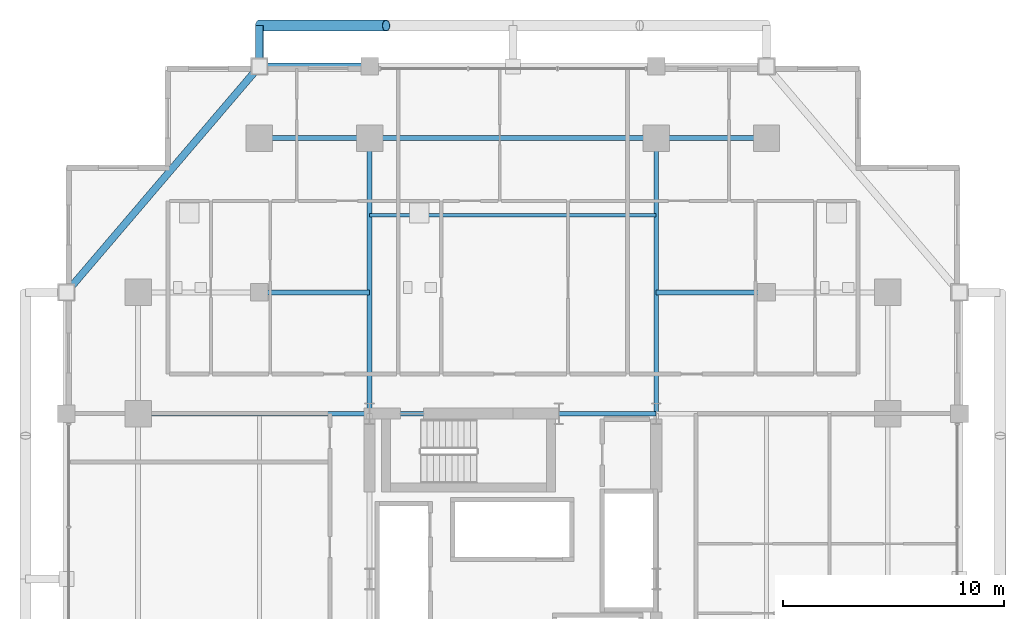
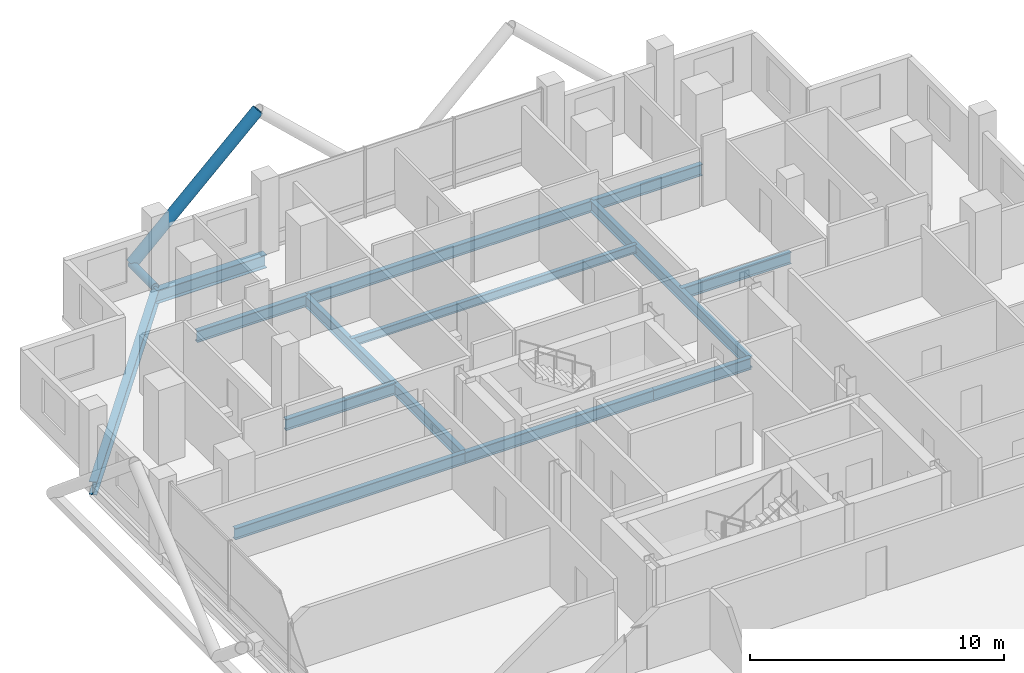
# One storey, part 13 of 24: 13 beams, 2 members.
"""IFC4 building model written with IfcOpenShell, lengths in metres."""

from ifc_helpers import new_model, si_unit, direction, frame, origin, origin_2d, place, context, subcontext, project, spatial, hollow_circle, i_section, extrude, material, material_profile, profile_set, type_object, element, save


model = new_model("IFC4")

# Units and contexts
model_context = context("Model", 3, precision=1e-05, world=origin(), true_north=direction((0.0, 1.0)))
body_context = subcontext(model_context, "Body", "Model", "MODEL_VIEW")
ifc_project = project(units=[si_unit("LENGTHUNIT", "METRE"), si_unit("AREAUNIT", "SQUARE_METRE"), si_unit("VOLUMEUNIT", "CUBIC_METRE"), si_unit("PLANEANGLEUNIT", "RADIAN"), si_unit("MASSUNIT", "GRAM", prefix="KILO")], contexts=[model_context])

# Site, building, storey
site_placement = place(None, origin())
site = spatial("IfcSite", under=ifc_project, at=site_placement, CompositionType="ELEMENT")
building_placement = place(site_placement, origin())
building = spatial("IfcBuilding", under=site, at=building_placement, Name="Barlavira Tower and Art Museum", CompositionType="ELEMENT")
storey_placement = place(building_placement, frame((0.0, 0.0, 109.800048828125)))
storey = spatial("IfcBuildingStorey", under=building, at=storey_placement, Name="L27", CompositionType="ELEMENT", Elevation=109.800048828125)

# Members
ifc_material = material(Name="Steel S355", Category="steel")
ifc_material_profile_1 = material_profile(ifc_material, hollow_circle(Radius=0.25390625, WallThickness=0.022216796875, at=origin_2d()), Name="CHS 508.0x22.2")
ifc_profile_set_1 = profile_set([ifc_material_profile_1], Name="Steel S355")
member_type_1 = type_object("IfcMemberType", Name="Pale-Metal Exoskeleton Diagrid Tube CHS 508x22 Steel S355", PredefinedType="BRACE", material=ifc_profile_set_1)
member_1_placement = place(storey_placement, frame((-11.5, 25.10009765625, -0.1201171875), z_axis=(0.728934650808, 0.0, 0.684583285548), x_axis=(0.0, 1.0, 0.0)))
element("IfcMember", 1, at=member_1_placement, inside=storey, type_object=member_type_1, Name="L27 Exoskeleton Diagrid Tube N", PredefinedType="BRACE", context=body_context, shape_type="SweptSolid", body=[
    extrude(hollow_circle(Radius=0.25390625, WallThickness=0.022216796875, at=origin_2d()), origin(), (0.0, 0.0, 1.0), 7.88818359375),
])
ifc_material_profile_2 = material_profile(ifc_material, hollow_circle(Radius=0.177734375, WallThickness=0.01611328125, at=origin_2d()), Name="CHS 355.6x16.0")
ifc_profile_set_2 = profile_set([ifc_material_profile_2], Name="Steel S355")
member_type_2 = type_object("IfcMemberType", Name="Pale-Metal Exoskeleton Tie Strut CHS 356x16 Steel S355", PredefinedType="STRUT", material=ifc_profile_set_2)
member_2_placement = place(storey_placement, frame((-11.5, 25.10009765625, -0.1201171875), z_axis=(0.0, -1.0, 0.0), x_axis=(1.0, 0.0, 0.0)))
element("IfcMember", 2, at=member_2_placement, inside=storey, type_object=member_type_2, Name="L27 Exoskeleton Tie Strut N1", PredefinedType="STRUT", context=body_context, shape_type="SweptSolid", body=[
    extrude(hollow_circle(Radius=0.177734375, WallThickness=0.01611328125, at=origin_2d()), origin(), (0.0, 0.0, 1.0), 1.85009765625),
])

# Beams
ifc_material_profile_3 = material_profile(ifc_material, i_section(OverallWidth=0.327880859375, OverallDepth=0.62890625, WebThickness=0.013916015625, FlangeThickness=0.021484375, at=origin_2d()), Name="W610x174.0")
ifc_profile_set_3 = profile_set([ifc_material_profile_3], Name="Steel S355")
beam_type_1 = type_object("IfcBeamType", Name="Perimeter Spandrel Edge Beam W610x174 Steel S355", PredefinedType="SPANDREL", material=ifc_profile_set_3)
beam_1_placement = place(storey_placement, frame((-11.5, 23.25, -0.53466796875), z_axis=(1.0, 0.0, 0.0), x_axis=(0.0, 1.0, 0.0)))
element("IfcBeam", 3, at=beam_1_placement, inside=storey, type_object=beam_type_1, Name="L27 Spandrel 11", PredefinedType="SPANDREL", context=body_context, shape_type="SweptSolid", body=[
    extrude(i_section(OverallWidth=0.327880859375, OverallDepth=0.62890625, WebThickness=0.013916015625, FlangeThickness=0.021484375, at=origin_2d()), origin(), (0.0, 0.0, 1.0), 5.0),
])
beam_2_placement = place(storey_placement, frame((-11.5, 23.25, -0.53466796875), z_axis=(-0.649262379928, -0.760564502202, 0.0), x_axis=(0.760564502202, -0.649262379928, 0.0)))
element("IfcBeam", 4, at=beam_2_placement, inside=storey, type_object=beam_type_1, Name="L27 Spandrel 12", PredefinedType="SPANDREL", context=body_context, shape_type="SweptSolid", body=[
    extrude(i_section(OverallWidth=0.327880859375, OverallDepth=0.62890625, WebThickness=0.013916015625, FlangeThickness=0.021484375, at=origin_2d()), origin(), (0.0, 0.0, 1.0), 13.476806640625),
])
ifc_material_profile_4 = material_profile(ifc_material, i_section(OverallWidth=0.214111328125, OverallDepth=0.549072265625, WebThickness=0.0146484375, FlangeThickness=0.023681640625, at=origin_2d()), Name="W530x138.0")
ifc_profile_set_4 = profile_set([ifc_material_profile_4], Name="Steel S355")
beam_type_2 = type_object("IfcBeamType", Name="Zone 1 Primary Floor Girder W530x138 Steel S355", PredefinedType="BEAM", material=ifc_profile_set_4)
beam_3_placement = place(storey_placement, frame((-6.5, 7.5, -0.49462890625), z_axis=(1.0, 0.0, 0.0), x_axis=(0.0, 1.0, 0.0)))
element("IfcBeam", 5, at=beam_3_placement, inside=storey, type_object=beam_type_2, Name="L27 Girder C-N1", PredefinedType="BEAM", context=body_context, shape_type="SweptSolid", body=[
    extrude(i_section(OverallWidth=0.214111328125, OverallDepth=0.549072265625, WebThickness=0.0146484375, FlangeThickness=0.023681640625, at=origin_2d()), origin(), (0.0, 0.0, 1.0), 8.580078125),
])
beam_4_placement = place(storey_placement, frame((2.080078125, 7.5, -0.49462890625), z_axis=(1.0, 0.0, 0.0), x_axis=(0.0, 1.0, 0.0)))
element("IfcBeam", 6, at=beam_4_placement, inside=storey, type_object=beam_type_2, Name="L27 Girder C-N2", PredefinedType="BEAM", context=body_context, shape_type="SweptSolid", body=[
    extrude(i_section(OverallWidth=0.214111328125, OverallDepth=0.549072265625, WebThickness=0.0146484375, FlangeThickness=0.023681640625, at=origin_2d()), origin(), (0.0, 0.0, 1.0), 4.419921875),
])
beam_5_placement = place(storey_placement, frame((-11.5, 20.0, -0.49462890625), z_axis=(1.0, 0.0, 0.0), x_axis=(0.0, 1.0, 0.0)))
element("IfcBeam", 7, at=beam_5_placement, inside=storey, type_object=beam_type_2, Name="L27 Girder M-N1", PredefinedType="BEAM", context=body_context, shape_type="SweptSolid", body=[
    extrude(i_section(OverallWidth=0.214111328125, OverallDepth=0.549072265625, WebThickness=0.0146484375, FlangeThickness=0.023681640625, at=origin_2d()), origin(), (0.0, 0.0, 1.0), 5.0),
])
beam_6_placement = place(storey_placement, frame((-6.5, 20.0, -0.49462890625), z_axis=(1.0, 0.0, 0.0), x_axis=(0.0, 1.0, 0.0)))
element("IfcBeam", 8, at=beam_6_placement, inside=storey, type_object=beam_type_2, Name="L27 Girder M-N2", PredefinedType="BEAM", context=body_context, shape_type="SweptSolid", body=[
    extrude(i_section(OverallWidth=0.214111328125, OverallDepth=0.549072265625, WebThickness=0.0146484375, FlangeThickness=0.023681640625, at=origin_2d()), origin(), (0.0, 0.0, 1.0), 13.0),
])
beam_7_placement = place(storey_placement, frame((6.5, 20.0, -0.49462890625), z_axis=(1.0, 0.0, 0.0), x_axis=(0.0, 1.0, 0.0)))
element("IfcBeam", 9, at=beam_7_placement, inside=storey, type_object=beam_type_2, Name="L27 Girder M-N3", PredefinedType="BEAM", context=body_context, shape_type="SweptSolid", body=[
    extrude(i_section(OverallWidth=0.214111328125, OverallDepth=0.549072265625, WebThickness=0.0146484375, FlangeThickness=0.023681640625, at=origin_2d()), origin(), (0.0, 0.0, 1.0), 5.0),
])
for number, where, z_axis, x_axis, name in (
    (10, (-6.5, 7.5, -0.49462890625), (0.0, 1.0, 0.0), (-1.0, 0.0, 0.0), "L27 Girder R-N1"),
    (11, (6.5, 7.5, -0.49462890625), (0.0, 1.0, 0.0), (-1.0, 0.0, 0.0), "L27 Girder R-N2"),
):
    element("IfcBeam", number, at=place(storey_placement, frame(where, z_axis=z_axis, x_axis=x_axis)), inside=storey, type_object=beam_type_2, Name=name, PredefinedType="BEAM", context=body_context, shape_type="SweptSolid", body=[
        extrude(i_section(OverallWidth=0.214111328125, OverallDepth=0.549072265625, WebThickness=0.0146484375, FlangeThickness=0.023681640625, at=origin_2d()), origin(), (0.0, 0.0, 1.0), 12.5),
    ])
beam_8_placement = place(storey_placement, frame((-17.0, 7.5, -0.49462890625), z_axis=(1.0, 0.0, 0.0), x_axis=(0.0, 1.0, 0.0)))
element("IfcBeam", 12, at=beam_8_placement, inside=storey, type_object=beam_type_2, Name="L27 Girder R-W2", PredefinedType="BEAM", context=body_context, shape_type="SweptSolid", body=[
    extrude(i_section(OverallWidth=0.214111328125, OverallDepth=0.549072265625, WebThickness=0.0146484375, FlangeThickness=0.023681640625, at=origin_2d()), origin(), (0.0, 0.0, 1.0), 10.5),
])
for number, where, z_axis, x_axis, name in (
    (13, (-11.5, 13.0, -0.49462890625), (1.0, 0.0, 0.0), (0.0, 1.0, 0.0), "L27 Girder I-N2"),
    (14, (6.5, 13.0, -0.49462890625), (1.0, 0.0, 0.0), (0.0, 1.0, 0.0), "L27 Girder I-N3"),
):
    element("IfcBeam", number, at=place(storey_placement, frame(where, z_axis=z_axis, x_axis=x_axis)), inside=storey, type_object=beam_type_2, Name=name, PredefinedType="BEAM", context=body_context, shape_type="SweptSolid", body=[
        extrude(i_section(OverallWidth=0.214111328125, OverallDepth=0.549072265625, WebThickness=0.0146484375, FlangeThickness=0.023681640625, at=origin_2d()), origin(), (0.0, 0.0, 1.0), 5.0),
    ])
ifc_material_profile_5 = material_profile(ifc_material, i_section(OverallWidth=0.179931640625, OverallDepth=0.4130859375, WebThickness=0.009765625, FlangeThickness=0.01611328125, at=origin_2d()), Name="W410x75.0")
ifc_profile_set_5 = profile_set([ifc_material_profile_5], Name="Steel S355")
beam_type_3 = type_object("IfcBeamType", Name="Zone 2 Composite Floor Joist W410x75 Steel S355", PredefinedType="JOIST", material=ifc_profile_set_5)
beam_9_placement = place(storey_placement, frame((-6.5, 16.5, -0.426513671875), z_axis=(1.0, 0.0, 0.0), x_axis=(0.0, 1.0, 0.0)))
element("IfcBeam", 15, at=beam_9_placement, inside=storey, type_object=beam_type_3, Name="L27 Joist C2", PredefinedType="JOIST", context=body_context, shape_type="SweptSolid", body=[
    extrude(i_section(OverallWidth=0.179931640625, OverallDepth=0.4130859375, WebThickness=0.009765625, FlangeThickness=0.01611328125, at=origin_2d()), origin(), (0.0, 0.0, 1.0), 13.0),
])

save(model, "model.ifc")
